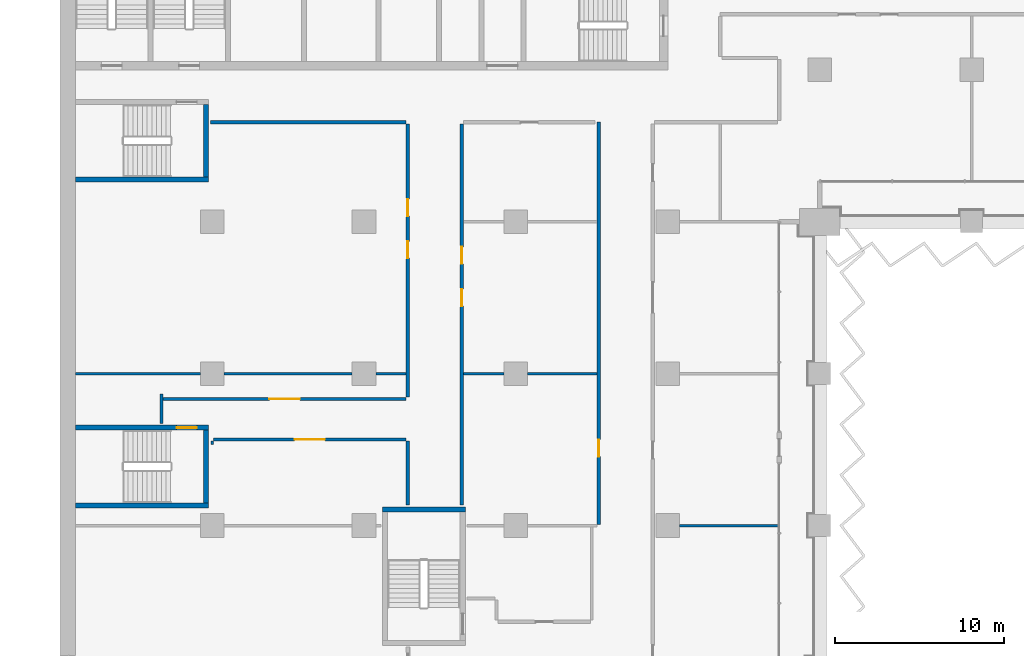
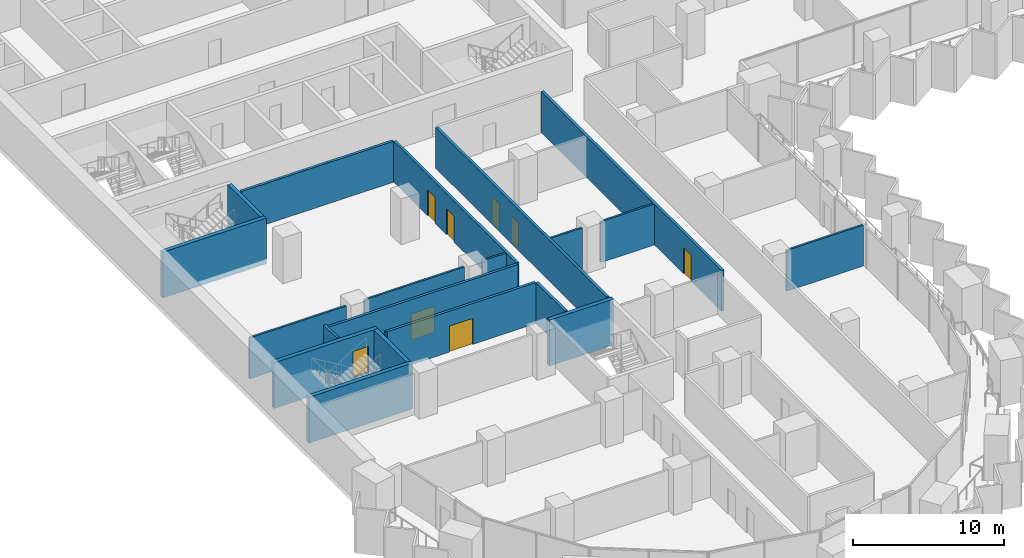
# One storey, part 11 of 28: 21 walls, 8 doors, 8 openings.
"""IFC4 building model written with IfcOpenShell, lengths in metres."""

from ifc_helpers import new_model, si_unit, direction, frame, frame_2d, origin, place, context, subcontext, project, spatial, rectangle, extrude, material, layer, layer_set, type_object, element, fill, save


model = new_model("IFC4")

# Units and contexts
model_context = context("Model", 3, precision=1e-05, world=origin(), true_north=direction((0.0, 1.0)))
body_context = subcontext(model_context, "Body", "Model", "MODEL_VIEW")
ifc_project = project(units=[si_unit("LENGTHUNIT", "METRE"), si_unit("AREAUNIT", "SQUARE_METRE"), si_unit("VOLUMEUNIT", "CUBIC_METRE"), si_unit("PLANEANGLEUNIT", "RADIAN"), si_unit("MASSUNIT", "GRAM", prefix="KILO")], contexts=[model_context])

# Site, building, storey
site_placement = place(None, origin())
site = spatial("IfcSite", under=ifc_project, at=site_placement, CompositionType="ELEMENT")
building_placement = place(site_placement, origin())
building = spatial("IfcBuilding", under=site, at=building_placement, Name="Hunhe Ridgeline Campus", CompositionType="ELEMENT")
storey_placement = place(building_placement, frame((0.0, 0.0, 61.699951171875)))
storey = spatial("IfcBuildingStorey", under=building, at=storey_placement, Name="L14", CompositionType="ELEMENT", Elevation=61.699951171875)

# Wall, opening, door
ifc_material_1 = material(Name="Gypsum board partition")
ifc_layer_1 = layer(ifc_material_1, 0.199951171875)
ifc_layer_set_1 = layer_set([ifc_layer_1], Name="Corridor partition 200 gypsum board on steel studs")
wall_type_1 = type_object("IfcWallType", Name="Corridor partition 200 gypsum board on steel studs", PredefinedType="PARTITIONING", material=ifc_layer_set_1)
wall_1_placement = place(storey_placement, frame((20.5, 41.10009765625, 0.0), z_axis=(0.0, 0.0, 1.0), x_axis=(-1.0, 0.0, 0.0)))
wall_1 = element("IfcWall", 1, at=wall_1_placement, inside=storey, type_object=wall_type_1, Name="F-L14-wall-023", PredefinedType="PARTITIONING", context=body_context, shape_type="SweptSolid", body=[
    extrude(rectangle(XDim=11.425048828125, YDim=0.199951171875, at=frame_2d((5.71240234375, 0.0))), origin(), (0.0, 0.0, 1.0), 3.300048828125),
])
opening_1_placement = place(wall_1_placement, frame((4.8125, 0.0, 0.0)))
opening_1 = element("IfcOpeningElement", 2, at=opening_1_placement, cuts=wall_1, Name="Opening RD2-014", PredefinedType="OPENING", context=body_context, shape_type="SweptSolid", body=[
    extrude(rectangle(XDim=1.800048828125, YDim=2.10009765625, at=frame_2d((0.89990234375, 1.050048828125))), frame((0.0, 0.10009765625, 0.0), z_axis=(0.0, -1.0, 0.0), x_axis=(1.0, 0.0, 0.0)), (0.0, 0.0, 1.0), 0.199951171875),
])
ifc_material_2 = material(Name="Timber door leaf", Category="wood")
door_type_1 = type_object("IfcDoorType", Name="Double fire door 1800x2100 timber FD60", OperationType="DOUBLE_DOOR_SINGLE_SWING", PredefinedType="DOOR", material=ifc_material_2)
door_1_placement = place(opening_1_placement, origin())
door_1 = element("IfcDoor", 3, at=door_1_placement, inside=storey, type_object=door_type_1, Name="F-L14-door-014", OperationType="DOUBLE_DOOR_SINGLE_SWING", OverallHeight=2.10009765625, OverallWidth=1.800048828125, PredefinedType="DOOR", context=body_context, shape_type="SweptSolid", body=[
    extrude(rectangle(XDim=1.800048828125, YDim=2.10009765625, at=frame_2d((0.89990234375, 1.050048828125))), frame((0.0, 0.02490234375, 0.0), z_axis=(0.0, -1.0, 0.0), x_axis=(1.0, 0.0, 0.0)), (0.0, 0.0, 1.0), 0.050048828125),
])
fill(opening_1, door_1)

wall_2_placement = place(storey_placement, frame((6.10009765625, 43.5, 0.0), z_axis=(0.0, 0.0, 1.0), x_axis=(1.0, 0.0, 0.0)))
wall_2 = element("IfcWall", 4, at=wall_2_placement, inside=storey, type_object=wall_type_1, Name="F-L14-wall-024", PredefinedType="PARTITIONING", context=body_context, shape_type="SweptSolid", body=[
    extrude(rectangle(XDim=14.39990234375, YDim=0.199951171875, at=frame_2d((7.199951171875, 0.0))), origin(), (0.0, 0.0, 1.0), 3.300048828125),
])
opening_2_placement = place(wall_2_placement, frame((6.300048828125, 0.0, 0.0)))
opening_2 = element("IfcOpeningElement", 5, at=opening_2_placement, cuts=wall_2, Name="Opening RD2-015", PredefinedType="OPENING", context=body_context, shape_type="SweptSolid", body=[
    extrude(rectangle(XDim=1.800048828125, YDim=2.10009765625, at=frame_2d((0.89990234375, 1.050048828125))), frame((0.0, 0.10009765625, 0.0), z_axis=(0.0, -1.0, 0.0), x_axis=(1.0, 0.0, 0.0)), (0.0, 0.0, 1.0), 0.199951171875),
])
door_2_placement = place(opening_2_placement, origin())
door_2 = element("IfcDoor", 6, at=door_2_placement, inside=storey, type_object=door_type_1, Name="F-L14-door-015", OperationType="DOUBLE_DOOR_SINGLE_SWING", OverallHeight=2.10009765625, OverallWidth=1.800048828125, PredefinedType="DOOR", context=body_context, shape_type="SweptSolid", body=[
    extrude(rectangle(XDim=1.800048828125, YDim=2.10009765625, at=frame_2d((0.89990234375, 1.050048828125))), frame((0.0, 0.02490234375, 0.0), z_axis=(0.0, -1.0, 0.0), x_axis=(1.0, 0.0, 0.0)), (0.0, 0.0, 1.0), 0.050048828125),
])
fill(opening_2, door_2)

# Walls
wall_3_placement = place(storey_placement, frame((20.5, 59.89990234375, 0.0), z_axis=(0.0, 0.0, 1.0), x_axis=(-1.0, 0.0, 0.0)))
element("IfcWall", 7, at=wall_3_placement, inside=storey, type_object=wall_type_1, Name="F-L14-wall-035", PredefinedType="PARTITIONING", context=body_context, shape_type="SweptSolid", body=[
    extrude(rectangle(XDim=11.595947265625, YDim=0.199951171875, at=frame_2d((5.7978515625, 0.0))), origin(), (0.0, 0.0, 1.0), 3.300048828125),
])
wall_4_placement = place(storey_placement, frame((6.0, 42.053955078125, 0.0), z_axis=(0.0, 0.0, 1.0), x_axis=(0.0, 1.0, 0.0)))
element("IfcWall", 8, at=wall_4_placement, inside=storey, type_object=wall_type_1, Name="F-L14-wall-047", PredefinedType="PARTITIONING", context=body_context, shape_type="SweptSolid", body=[
    extrude(rectangle(XDim=1.74609375, YDim=0.199951171875, at=frame_2d((0.873046875, 0.0))), origin(), (0.0, 0.0, 1.0), 3.300048828125),
])
wall_5_placement = place(storey_placement, frame((20.60009765625, 37.2041015625, 0.0), z_axis=(0.0, 0.0, 1.0), x_axis=(0.0, 1.0, 0.0)))
element("IfcWall", 9, at=wall_5_placement, inside=storey, type_object=wall_type_1, Name="F-L14-wall-050", PredefinedType="PARTITIONING", context=body_context, shape_type="SweptSolid", body=[
    extrude(rectangle(XDim=3.7958984375, YDim=0.199951171875, at=frame_2d((1.89794921875, 0.0))), origin(), (0.0, 0.0, 1.0), 3.300048828125),
])

# Wall, openings, doors
wall_6_placement = place(storey_placement, frame((20.60009765625, 43.6181640625, 0.0), z_axis=(0.0, 0.0, 1.0), x_axis=(0.0, 1.0, 0.0)))
wall_6 = element("IfcWall", 10, at=wall_6_placement, inside=storey, type_object=wall_type_1, Name="F-L14-wall-051", PredefinedType="PARTITIONING", context=body_context, shape_type="SweptSolid", body=[
    extrude(rectangle(XDim=16.181884765625, YDim=0.199951171875, at=frame_2d((8.0908203125, 0.0))), origin(), (0.0, 0.0, 1.0), 3.300048828125),
])
opening_3_placement = place(wall_6_placement, frame((8.22314453125, 0.0, 0.0)))
opening_3 = element("IfcOpeningElement", 11, at=opening_3_placement, cuts=wall_6, Name="Opening RD1-019", PredefinedType="OPENING", context=body_context, shape_type="SweptSolid", body=[
    extrude(rectangle(XDim=1.0, YDim=2.10009765625, at=frame_2d((0.5, 1.050048828125))), frame((0.0, 0.10009765625, 0.0), z_axis=(0.0, -1.0, 0.0), x_axis=(1.0, 0.0, 0.0)), (0.0, 0.0, 1.0), 0.199951171875),
])
opening_4_placement = place(wall_6_placement, frame((10.72314453125, 0.0, 0.0)))
opening_4 = element("IfcOpeningElement", 12, at=opening_4_placement, cuts=wall_6, Name="Opening RD1-020", PredefinedType="OPENING", context=body_context, shape_type="SweptSolid", body=[
    extrude(rectangle(XDim=1.0, YDim=2.10009765625, at=frame_2d((0.5, 1.050048828125))), frame((0.0, 0.10009765625, 0.0), z_axis=(0.0, -1.0, 0.0), x_axis=(1.0, 0.0, 0.0)), (0.0, 0.0, 1.0), 0.199951171875),
])
door_type_2 = type_object("IfcDoorType", Name="Single fire door 1000x2100 timber FD60", OperationType="NOTDEFINED", PredefinedType="DOOR", material=ifc_material_2)
door_3_placement = place(opening_3_placement, frame((1.0, 0.0, 0.0), z_axis=(0.0, 0.0, 1.0), x_axis=(-1.0, 0.0, 0.0)))
door_3 = element("IfcDoor", 13, at=door_3_placement, inside=storey, type_object=door_type_2, Name="F-L14-door-019", OperationType="SINGLE_SWING_RIGHT", OverallHeight=2.10009765625, OverallWidth=1.0, PredefinedType="DOOR", context=body_context, shape_type="SweptSolid", body=[
    extrude(rectangle(XDim=1.0, YDim=2.10009765625, at=frame_2d((0.5, 1.050048828125))), frame((0.0, 0.02490234375, 0.0), z_axis=(0.0, -1.0, 0.0), x_axis=(1.0, 0.0, 0.0)), (0.0, 0.0, 1.0), 0.050048828125),
])
fill(opening_3, door_3)
door_4_placement = place(opening_4_placement, frame((1.0, 0.0, 0.0), z_axis=(0.0, 0.0, 1.0), x_axis=(-1.0, 0.0, 0.0)))
door_4 = element("IfcDoor", 14, at=door_4_placement, inside=storey, type_object=door_type_2, Name="F-L14-door-020", OperationType="SINGLE_SWING_LEFT", OverallHeight=2.10009765625, OverallWidth=1.0, PredefinedType="DOOR", context=body_context, shape_type="SweptSolid", body=[
    extrude(rectangle(XDim=1.0, YDim=2.10009765625, at=frame_2d((0.5, 1.050048828125))), frame((0.0, 0.02490234375, 0.0), z_axis=(0.0, -1.0, 0.0), x_axis=(1.0, 0.0, 0.0)), (0.0, 0.0, 1.0), 0.050048828125),
])
fill(opening_4, door_4)

wall_7_placement = place(storey_placement, frame((23.800048828125, 59.800048828125, 0.0), z_axis=(0.0, 0.0, 1.0), x_axis=(0.0, -1.0, 0.0)))
wall_7 = element("IfcWall", 15, at=wall_7_placement, inside=storey, type_object=wall_type_1, Name="F-L14-wall-054", PredefinedType="PARTITIONING", context=body_context, shape_type="SweptSolid", body=[
    extrude(rectangle(XDim=22.595947265625, YDim=0.199951171875, at=frame_2d((11.2978515625, 0.0))), origin(), (0.0, 0.0, 1.0), 3.300048828125),
])
opening_5_placement = place(wall_7_placement, frame((9.793701171875, 0.0, 0.0)))
opening_5 = element("IfcOpeningElement", 16, at=opening_5_placement, cuts=wall_7, Name="Opening RD1-016", PredefinedType="OPENING", context=body_context, shape_type="SweptSolid", body=[
    extrude(rectangle(XDim=1.0, YDim=2.10009765625, at=frame_2d((0.5, 1.050048828125))), frame((0.0, 0.10009765625, 0.0), z_axis=(0.0, -1.0, 0.0), x_axis=(1.0, 0.0, 0.0)), (0.0, 0.0, 1.0), 0.199951171875),
])
opening_6_placement = place(wall_7_placement, frame((7.293701171875, 0.0, 0.0)))
opening_6 = element("IfcOpeningElement", 17, at=opening_6_placement, cuts=wall_7, Name="Opening RD1-018", PredefinedType="OPENING", context=body_context, shape_type="SweptSolid", body=[
    extrude(rectangle(XDim=1.0, YDim=2.10009765625, at=frame_2d((0.5, 1.050048828125))), frame((0.0, 0.10009765625, 0.0), z_axis=(0.0, -1.0, 0.0), x_axis=(1.0, 0.0, 0.0)), (0.0, 0.0, 1.0), 0.199951171875),
])
door_5_placement = place(opening_5_placement, frame((1.0, 0.0, 0.0), z_axis=(0.0, 0.0, 1.0), x_axis=(-1.0, 0.0, 0.0)))
door_5 = element("IfcDoor", 18, at=door_5_placement, inside=storey, type_object=door_type_2, Name="F-L14-door-016", OperationType="SINGLE_SWING_RIGHT", OverallHeight=2.10009765625, OverallWidth=1.0, PredefinedType="DOOR", context=body_context, shape_type="SweptSolid", body=[
    extrude(rectangle(XDim=1.0, YDim=2.10009765625, at=frame_2d((0.5, 1.050048828125))), frame((0.0, 0.02490234375, 0.0), z_axis=(0.0, -1.0, 0.0), x_axis=(1.0, 0.0, 0.0)), (0.0, 0.0, 1.0), 0.050048828125),
])
fill(opening_5, door_5)
door_6_placement = place(opening_6_placement, frame((1.0, 0.0, 0.0), z_axis=(0.0, 0.0, 1.0), x_axis=(-1.0, 0.0, 0.0)))
door_6 = element("IfcDoor", 19, at=door_6_placement, inside=storey, type_object=door_type_2, Name="F-L14-door-018", OperationType="SINGLE_SWING_RIGHT", OverallHeight=2.10009765625, OverallWidth=1.0, PredefinedType="DOOR", context=body_context, shape_type="SweptSolid", body=[
    extrude(rectangle(XDim=1.0, YDim=2.10009765625, at=frame_2d((0.5, 1.050048828125))), frame((0.0, 0.02490234375, 0.0), z_axis=(0.0, -1.0, 0.0), x_axis=(1.0, 0.0, 0.0)), (0.0, 0.0, 1.0), 0.050048828125),
])
fill(opening_6, door_6)

# Wall, opening, door
wall_8_placement = place(storey_placement, frame((31.89990234375, 36.074951171875, 0.0), z_axis=(0.0, 0.0, 1.0), x_axis=(0.0, 1.0, 0.0)))
wall_8 = element("IfcWall", 20, at=wall_8_placement, inside=storey, type_object=wall_type_1, Name="F-L14-wall-059", PredefinedType="PARTITIONING", context=body_context, shape_type="SweptSolid", body=[
    extrude(rectangle(XDim=23.824951171875, YDim=0.199951171875, at=frame_2d((11.91259765625, 0.0))), origin(), (0.0, 0.0, 1.0), 3.300048828125),
])
opening_7_placement = place(wall_8_placement, frame((4.01416015625, 0.0, 0.0)))
opening_7 = element("IfcOpeningElement", 21, at=opening_7_placement, cuts=wall_8, Name="Opening RD1-013", PredefinedType="OPENING", context=body_context, shape_type="SweptSolid", body=[
    extrude(rectangle(XDim=1.0, YDim=2.10009765625, at=frame_2d((0.5, 1.050048828125))), frame((0.0, 0.10009765625, 0.0), z_axis=(0.0, -1.0, 0.0), x_axis=(1.0, 0.0, 0.0)), (0.0, 0.0, 1.0), 0.199951171875),
])
door_7_placement = place(opening_7_placement, origin())
door_7 = element("IfcDoor", 22, at=door_7_placement, inside=storey, type_object=door_type_2, Name="F-L14-door-013", OperationType="SINGLE_SWING_RIGHT", OverallHeight=2.10009765625, OverallWidth=1.0, PredefinedType="DOOR", context=body_context, shape_type="SweptSolid", body=[
    extrude(rectangle(XDim=1.0, YDim=2.10009765625, at=frame_2d((0.5, 1.050048828125))), frame((0.0, 0.02490234375, 0.0), z_axis=(0.0, -1.0, 0.0), x_axis=(1.0, 0.0, 0.0)), (0.0, 0.0, 1.0), 0.050048828125),
])
fill(opening_7, door_7)

# Walls
ifc_layer_2 = layer(ifc_material_1, 0.14990234375)
ifc_layer_set_2 = layer_set([ifc_layer_2], Name="Room partition 150 gypsum board on steel studs")
wall_type_2 = type_object("IfcWallType", Name="Room partition 150 gypsum board on steel studs", PredefinedType="PARTITIONING", material=ifc_layer_set_2)
wall_9_placement = place(storey_placement, frame((36.699951171875, 36.0, 0.0), z_axis=(0.0, 0.0, 1.0), x_axis=(1.0, 0.0, 0.0)))
element("IfcWall", 23, at=wall_9_placement, inside=storey, type_object=wall_type_2, Name="F-L14-wall-022", PredefinedType="PARTITIONING", context=body_context, shape_type="SweptSolid", body=[
    extrude(rectangle(XDim=5.844970703125, YDim=0.14990234375, at=frame_2d((2.92236328125, 0.0))), origin(), (0.0, 0.0, 1.0), 3.300048828125),
])
wall_10_placement = place(storey_placement, frame((0.919921875, 45.0, 0.0), z_axis=(0.0, 0.0, 1.0), x_axis=(1.0, 0.0, 0.0)))
element("IfcWall", 24, at=wall_10_placement, inside=storey, type_object=wall_type_2, Name="F-L14-wall-025", PredefinedType="PARTITIONING", context=body_context, shape_type="SweptSolid", body=[
    extrude(rectangle(XDim=7.380126953125, YDim=0.14990234375, at=frame_2d((3.68994140625, 0.0))), origin(), (0.0, 0.0, 1.0), 3.300048828125),
])
wall_11_placement = place(storey_placement, frame((9.699951171875, 45.0, 0.0), z_axis=(0.0, 0.0, 1.0), x_axis=(1.0, 0.0, 0.0)))
element("IfcWall", 25, at=wall_11_placement, inside=storey, type_object=wall_type_2, Name="F-L14-wall-026", PredefinedType="PARTITIONING", context=body_context, shape_type="SweptSolid", body=[
    extrude(rectangle(XDim=7.60009765625, YDim=0.14990234375, at=frame_2d((3.800048828125, 0.0))), origin(), (0.0, 0.0, 1.0), 3.300048828125),
])
wall_12_placement = place(storey_placement, frame((18.699951171875, 45.0, 0.0), z_axis=(0.0, 0.0, 1.0), x_axis=(1.0, 0.0, 0.0)))
element("IfcWall", 26, at=wall_12_placement, inside=storey, type_object=wall_type_2, Name="F-L14-wall-027", PredefinedType="PARTITIONING", context=body_context, shape_type="SweptSolid", body=[
    extrude(rectangle(XDim=1.800048828125, YDim=0.14990234375, at=frame_2d((0.89990234375, 0.0))), origin(), (0.0, 0.0, 1.0), 3.300048828125),
])
wall_13_placement = place(storey_placement, frame((23.89990234375, 45.0, 0.0), z_axis=(0.0, 0.0, 1.0), x_axis=(1.0, 0.0, 0.0)))
element("IfcWall", 27, at=wall_13_placement, inside=storey, type_object=wall_type_2, Name="F-L14-wall-028", PredefinedType="PARTITIONING", context=body_context, shape_type="SweptSolid", body=[
    extrude(rectangle(XDim=2.400146484375, YDim=0.14990234375, at=frame_2d((1.2001953125, 0.0))), origin(), (0.0, 0.0, 1.0), 3.300048828125),
])
wall_14_placement = place(storey_placement, frame((27.699951171875, 45.0, 0.0), z_axis=(0.0, 0.0, 1.0), x_axis=(1.0, 0.0, 0.0)))
element("IfcWall", 28, at=wall_14_placement, inside=storey, type_object=wall_type_2, Name="F-L14-wall-029", PredefinedType="PARTITIONING", context=body_context, shape_type="SweptSolid", body=[
    extrude(rectangle(XDim=4.10009765625, YDim=0.14990234375, at=frame_2d((2.050048828125, 0.0))), origin(), (0.0, 0.0, 1.0), 3.300048828125),
])
wall_15_placement = place(storey_placement, frame((9.0, 41.0, 0.0), z_axis=(0.0, 0.0, 1.0), x_axis=(0.0, -1.0, 0.0)))
element("IfcWall", 29, at=wall_15_placement, inside=storey, type_object=wall_type_2, Name="F-L14-wall-048", PredefinedType="PARTITIONING", context=body_context, shape_type="SweptSolid", body=[
    extrude(rectangle(XDim=0.199951171875, YDim=0.14990234375, at=frame_2d((0.10009765625, 0.0))), origin(), (0.0, 0.0, 1.0), 3.300048828125),
])
ifc_material_3 = material(Name="Concrete C80", Category="concrete")
ifc_layer_3 = layer(ifc_material_3, 0.300048828125)
ifc_layer_set_3 = layer_set([ifc_layer_3], Name="Stair wall 300 reinforced concrete C80")
wall_type_3 = type_object("IfcWallType", Name="Stair wall 300 reinforced concrete C80", PredefinedType="SOLIDWALL", material=ifc_layer_set_3)
wall_16_placement = place(storey_placement, frame((19.10009765625, 36.949951171875, -0.39990234375), z_axis=(0.0, 0.0, 1.0), x_axis=(1.0, 0.0, 0.0)))
element("IfcWall", 30, at=wall_16_placement, inside=storey, type_object=wall_type_3, Name="L14 core wall 2", PredefinedType="SOLIDWALL", context=body_context, shape_type="SweptSolid", body=[
    extrude(rectangle(XDim=4.89990234375, YDim=0.300048828125, at=frame_2d((2.449951171875, 0.0))), origin(), (0.0, 0.0, 1.0), 3.699951171875),
])
wall_17_placement = place(storey_placement, frame((0.89990234375, 37.199951171875, -0.39990234375), z_axis=(0.0, 0.0, 1.0), x_axis=(1.0, 0.0, 0.0)))
element("IfcWall", 31, at=wall_17_placement, inside=storey, type_object=wall_type_3, Name="L14 core wall 3", PredefinedType="SOLIDWALL", context=body_context, shape_type="SweptSolid", body=[
    extrude(rectangle(XDim=7.900146484375, YDim=0.300048828125, at=frame_2d((3.9501953125, 0.0))), origin(), (0.0, 0.0, 1.0), 3.699951171875),
])

# Wall, opening, door
wall_18_placement = place(storey_placement, frame((0.89990234375, 41.800048828125, -0.39990234375), z_axis=(0.0, 0.0, 1.0), x_axis=(1.0, 0.0, 0.0)))
wall_18 = element("IfcWall", 32, at=wall_18_placement, inside=storey, type_object=wall_type_3, Name="L14 core wall 4", PredefinedType="SOLIDWALL", context=body_context, shape_type="SweptSolid", body=[
    extrude(rectangle(XDim=7.900146484375, YDim=0.300048828125, at=frame_2d((3.9501953125, 0.0))), origin(), (0.0, 0.0, 1.0), 3.699951171875),
])
opening_8_placement = place(wall_18_placement, frame((6.0, 0.0, 0.39990234375)))
opening_8 = element("IfcOpeningElement", 33, at=opening_8_placement, cuts=wall_18, Name="Opening CD21", PredefinedType="OPENING", context=body_context, shape_type="SweptSolid", body=[
    extrude(rectangle(XDim=1.199951171875, YDim=2.10009765625, at=frame_2d((0.60009765625, 1.050048828125))), frame((0.0, 0.14990234375, 0.0), z_axis=(0.0, -1.0, 0.0), x_axis=(1.0, 0.0, 0.0)), (0.0, 0.0, 1.0), 0.300048828125),
])
ifc_material_4 = material(Name="Hollow metal fire door leaf")
door_type_3 = type_object("IfcDoorType", Name="Stair door 1200x2100 FD60", OperationType="SINGLE_SWING_LEFT", PredefinedType="DOOR", material=ifc_material_4)
door_8_placement = place(opening_8_placement, origin())
door_8 = element("IfcDoor", 34, at=door_8_placement, inside=storey, type_object=door_type_3, Name="L14 door W1", OperationType="SINGLE_SWING_LEFT", OverallHeight=2.10009765625, OverallWidth=1.199951171875, PredefinedType="DOOR", context=body_context, shape_type="SweptSolid", body=[
    extrude(rectangle(XDim=1.199951171875, YDim=2.10009765625, at=frame_2d((0.60009765625, 1.050048828125))), frame((0.0, 0.02490234375, 0.0), z_axis=(0.0, -1.0, 0.0), x_axis=(1.0, 0.0, 0.0)), (0.0, 0.0, 1.0), 0.050048828125),
])
fill(opening_8, door_8)

# Walls
wall_19_placement = place(storey_placement, frame((0.89990234375, 56.5, -0.39990234375), z_axis=(0.0, 0.0, 1.0), x_axis=(1.0, 0.0, 0.0)))
element("IfcWall", 35, at=wall_19_placement, inside=storey, type_object=wall_type_3, Name="L14 core wall 5", PredefinedType="SOLIDWALL", context=body_context, shape_type="SweptSolid", body=[
    extrude(rectangle(XDim=7.900146484375, YDim=0.300048828125, at=frame_2d((3.9501953125, 0.0))), origin(), (0.0, 0.0, 1.0), 3.699951171875),
])
wall_20_placement = place(storey_placement, frame((8.64990234375, 37.35009765625, -0.39990234375), z_axis=(0.0, 0.0, 1.0), x_axis=(0.0, 1.0, 0.0)))
element("IfcWall", 36, at=wall_20_placement, inside=storey, type_object=wall_type_3, Name="L14 core wall 40", PredefinedType="SOLIDWALL", context=body_context, shape_type="SweptSolid", body=[
    extrude(rectangle(XDim=4.2998046875, YDim=0.300048828125, at=frame_2d((2.14990234375, 0.0))), origin(), (0.0, 0.0, 1.0), 3.699951171875),
])
wall_21_placement = place(storey_placement, frame((8.64990234375, 56.64990234375, -0.39990234375), z_axis=(0.0, 0.0, 1.0), x_axis=(0.0, 1.0, 0.0)))
element("IfcWall", 37, at=wall_21_placement, inside=storey, type_object=wall_type_3, Name="L14 core wall 41", PredefinedType="SOLIDWALL", context=body_context, shape_type="SweptSolid", body=[
    extrude(rectangle(XDim=4.300048828125, YDim=0.300048828125, at=frame_2d((2.14990234375, 0.0))), origin(), (0.0, 0.0, 1.0), 3.699951171875),
])

save(model, "model.ifc")
